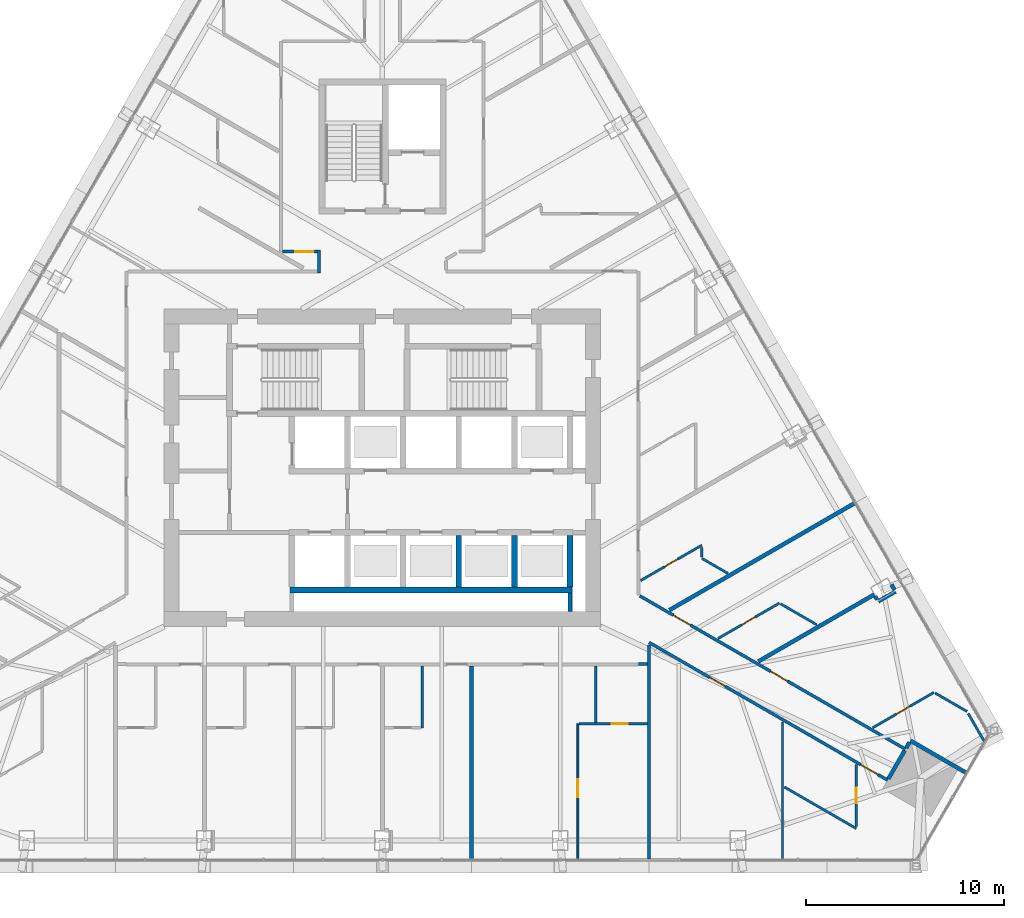
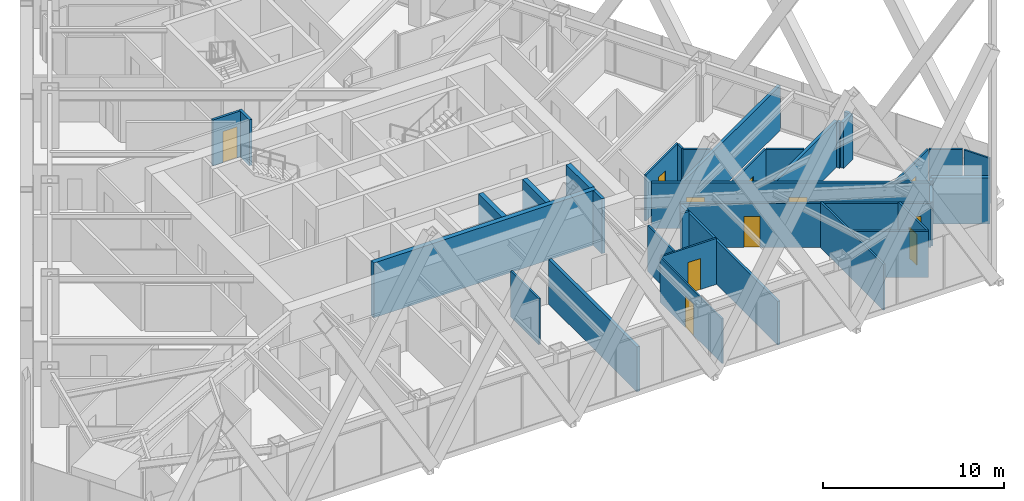
# One storey, part 19 of 24: 35 walls, 11 doors, 11 openings.
"""IFC4 building model written with IfcOpenShell, lengths in metres."""

from ifc_helpers import new_model, si_unit, direction, frame, frame_2d, origin, place, context, subcontext, project, spatial, rectangle, extrude, material, layer, layer_set, type_object, element, fill, save


model = new_model("IFC4")

# Units and contexts
model_context = context("Model", 3, precision=1e-05, world=origin(), true_north=direction((0.0, 1.0)))
body_context = subcontext(model_context, "Body", "Model", "MODEL_VIEW")
ifc_project = project(units=[si_unit("LENGTHUNIT", "METRE"), si_unit("AREAUNIT", "SQUARE_METRE"), si_unit("VOLUMEUNIT", "CUBIC_METRE"), si_unit("PLANEANGLEUNIT", "RADIAN"), si_unit("MASSUNIT", "GRAM", prefix="KILO")], contexts=[model_context])

# Site, building, storey
site_placement = place(None, origin())
site = spatial("IfcSite", under=ifc_project, at=site_placement, CompositionType="ELEMENT")
building_placement = place(site_placement, origin())
building = spatial("IfcBuilding", under=site, at=building_placement, Name="Firuza Gate Tower and Library", CompositionType="ELEMENT")
storey_placement = place(building_placement, frame((0.0, 0.0, 171.39990234375)))
storey = spatial("IfcBuildingStorey", under=building, at=storey_placement, Name="L39", CompositionType="ELEMENT", Elevation=171.39990234375)

# Walls
ifc_material_1 = material(Name="Plasterboard on steel studs", Category="steel")
ifc_layer_1 = layer(ifc_material_1, 0.199951171875)
ifc_layer_set_1 = layer_set([ifc_layer_1], Name="Core partition 200 EI 120")
wall_type_1 = type_object("IfcWallType", Name="Core partition 200 EI 120", PredefinedType="PARTITIONING", material=ifc_layer_set_1)
wall_1_placement = place(storey_placement, frame((84.449951171875, 67.75, 0.0), z_axis=(0.0, 0.0, 1.0), x_axis=(0.0, 1.0, 0.0)))
element("IfcWall", 1, at=wall_1_placement, inside=storey, type_object=wall_type_1, Name="Core partition L39 14", PredefinedType="PARTITIONING", context=body_context, shape_type="SweptSolid", body=[
    extrude(rectangle(XDim=0.949951171875, YDim=0.199951171875, at=frame_2d((0.47509765625, 0.0))), origin(), (0.0, 0.0, 1.0), 3.7001953125),
])
ifc_material_2 = material(Name="Concrete C80/95", Category="concrete")
ifc_layer_2 = layer(ifc_material_2, 0.300048828125)
ifc_layer_set_2 = layer_set([ifc_layer_2], Name="Core wall 300 C80/95")
wall_type_2 = type_object("IfcWallType", Name="Core wall 300 C80/95", PredefinedType="SHEAR", material=ifc_layer_set_2)
wall_2_placement = place(storey_placement, frame((70.35009765625, 68.85009765625, 0.0), z_axis=(0.0, 0.0, 1.0), x_axis=(1.0, 0.0, 0.0)))
element("IfcWall", 2, at=wall_2_placement, inside=storey, type_object=wall_type_2, Name="Core wall L39 5", PredefinedType="SHEAR", context=body_context, shape_type="SweptSolid", body=[
    extrude(rectangle(XDim=14.199951171875, YDim=0.300048828125, at=frame_2d((7.10009765625, 0.0))), origin(), (0.0, 0.0, 1.0), 3.7001953125),
])
for number, where, z_axis, x_axis, name in (
    (3, (78.85009765625, 69.0, 0.0), (0.0, 0.0, 1.0), (0.0, 1.0, 0.0), "Core wall L39 14"),
    (4, (81.64990234375, 69.0, 0.0), (0.0, 0.0, 1.0), (0.0, 1.0, 0.0), "Core wall L39 16"),
    (5, (84.449951171875, 69.0, 0.0), (0.0, 0.0, 1.0), (0.0, 1.0, 0.0), "Core wall L39 18"),
):
    element("IfcWall", number, at=place(storey_placement, frame(where, z_axis=z_axis, x_axis=x_axis)), inside=storey, type_object=wall_type_2, Name=name, PredefinedType="SHEAR", context=body_context, shape_type="SweptSolid", body=[
        extrude(rectangle(XDim=2.60009765625, YDim=0.300048828125, at=frame_2d((1.300048828125, 0.0))), origin(), (0.0, 0.0, 1.0), 3.7001953125),
    ])
ifc_material_3 = material(Name="Gypsum board partition")
ifc_layer_3 = layer(ifc_material_3, 0.14990234375)
ifc_layer_set_3 = layer_set([ifc_layer_3], Name="Corridor wall 150 double board on steel studs")
wall_type_3 = type_object("IfcWallType", Name="Corridor wall 150 double board on steel studs", PredefinedType="PARTITIONING", material=ifc_layer_set_3)
wall_3_placement = place(storey_placement, frame((87.89990234375, 65.118896484375, 0.0), z_axis=(0.0, 0.0, 1.0), x_axis=(1.0, 0.0, 0.0)))
element("IfcWall", 6, at=wall_3_placement, inside=storey, type_object=wall_type_3, Name="f:L39:w010", PredefinedType="PARTITIONING", context=body_context, shape_type="SweptSolid", body=[
    extrude(rectangle(XDim=0.468017578125, YDim=0.14990234375, at=frame_2d((0.23388671875, 0.0))), origin(), (0.0, 0.0, 1.0), 3.10009765625),
])

# Wall, opening, door
wall_4_placement = place(storey_placement, frame((69.9755859375, 85.89990234375, 0.0), z_axis=(0.0, 0.0, 1.0), x_axis=(1.0, 0.0, 0.0)))
wall_4 = element("IfcWall", 7, at=wall_4_placement, inside=storey, type_object=wall_type_3, Name="f:L39:w013", PredefinedType="PARTITIONING", context=body_context, shape_type="SweptSolid", body=[
    extrude(rectangle(XDim=1.74951171875, YDim=0.14990234375, at=frame_2d((0.874755859375, 0.0))), origin(), (0.0, 0.0, 1.0), 3.10009765625),
])
opening_1_placement = place(wall_4_placement, frame((0.645751953125, 0.0, 0.0)))
opening_1 = element("IfcOpeningElement", 8, at=opening_1_placement, cuts=wall_4, Name="Opening L39-12", PredefinedType="OPENING", context=body_context, shape_type="SweptSolid", body=[
    extrude(rectangle(XDim=0.89990234375, YDim=2.10009765625, at=frame_2d((0.449951171875, 1.050048828125))), frame((0.0, 0.0849609375, 0.0), z_axis=(0.0, -1.0, 0.0), x_axis=(1.0, 0.0, 0.0)), (0.0, 0.0, 1.0), 0.169921875),
])
ifc_material_4 = material(Name="Steel door and timber leaf", Category="steel")
door_type_1 = type_object("IfcDoorType", Name="Fire door 900 x 2100 steel frame, timber leaf", OperationType="NOTDEFINED", PredefinedType="DOOR", material=ifc_material_4)
door_1_placement = place(opening_1_placement, origin())
door_1 = element("IfcDoor", 9, at=door_1_placement, inside=storey, type_object=door_type_1, Name="f:L39:d012", OperationType="SINGLE_SWING_RIGHT", OverallHeight=2.10009765625, OverallWidth=0.89990234375, PredefinedType="DOOR", context=body_context, shape_type="SweptSolid", body=[
    extrude(rectangle(XDim=0.89990234375, YDim=2.10009765625, at=frame_2d((0.449951171875, 1.050048828125))), frame((0.0, 0.02490234375, 0.0), z_axis=(0.0, -1.0, 0.0), x_axis=(1.0, 0.0, 0.0)), (0.0, 0.0, 1.0), 0.050048828125),
])
fill(opening_1, door_1)

# Walls
wall_5_placement = place(storey_placement, frame((88.443115234375, 55.277587890625, 0.0), z_axis=(0.0, 0.0, 1.0), x_axis=(0.0, 1.0, 0.0)))
element("IfcWall", 10, at=wall_5_placement, inside=storey, type_object=wall_type_3, Name="f:L39:w053", PredefinedType="PARTITIONING", context=body_context, shape_type="SweptSolid", body=[
    extrude(rectangle(XDim=10.785400390625, YDim=0.14990234375, at=frame_2d((5.392578125, 0.0))), origin(), (0.0, 0.0, 1.0), 2.947021484375),
])
wall_6_placement = place(storey_placement, frame((71.800048828125, 84.824951171875, 0.0), z_axis=(0.0, 0.0, 1.0), x_axis=(0.0, 1.0, 0.0)))
element("IfcWall", 11, at=wall_6_placement, inside=storey, type_object=wall_type_3, Name="f:L39:w070", PredefinedType="PARTITIONING", context=body_context, shape_type="SweptSolid", body=[
    extrude(rectangle(XDim=1.150146484375, YDim=0.14990234375, at=frame_2d((0.5751953125, 0.0))), origin(), (0.0, 0.0, 1.0), 3.10009765625),
])

# Wall, openings, doors
wall_7_placement = place(storey_placement, frame((87.97509765625, 68.548095703125, 0.0), z_axis=(0.0, 0.0, 1.0), x_axis=(0.866029648708, -0.499992647504, 0.0)))
wall_7 = element("IfcWall", 12, at=wall_7_placement, inside=storey, type_object=wall_type_3, Name="f:L39:w105", PredefinedType="PARTITIONING", context=body_context, shape_type="SweptSolid", body=[
    extrude(rectangle(XDim=15.460693359375, YDim=0.14990234375, at=frame_2d((7.73046875, 0.0))), origin(), (0.0, 0.0, 1.0), 3.10009765625),
])
opening_2_placement = place(wall_7_placement, frame((1.947998046875, 0.0, 0.0)))
opening_2 = element("IfcOpeningElement", 13, at=opening_2_placement, cuts=wall_7, Name="Opening L39-46", PredefinedType="OPENING", context=body_context, shape_type="SweptSolid", body=[
    extrude(rectangle(XDim=1.0, YDim=2.10009765625, at=frame_2d((0.5, 1.050048828125))), frame((0.0, 0.0849609375, 0.0), z_axis=(0.0, -1.0, 0.0), x_axis=(1.0, 0.0, 0.0)), (0.0, 0.0, 1.0), 0.169921875),
])
opening_3_placement = place(wall_7_placement, frame((7.60205078125, 0.0, 0.0)))
opening_3 = element("IfcOpeningElement", 14, at=opening_3_placement, cuts=wall_7, Name="Opening L39-47", PredefinedType="OPENING", context=body_context, shape_type="SweptSolid", body=[
    extrude(rectangle(XDim=1.0, YDim=2.10009765625, at=frame_2d((0.5, 1.050048828125))), frame((0.0, 0.0849609375, 0.0), z_axis=(0.0, -1.0, 0.0), x_axis=(1.0, 0.0, 0.0)), (0.0, 0.0, 1.0), 0.169921875),
])
ifc_material_5 = material(Name="Steel door and timber leaf", Category="steel")
door_type_2 = type_object("IfcDoorType", Name="Fire door 1000 x 2100 steel frame, timber leaf", OperationType="NOTDEFINED", PredefinedType="DOOR", material=ifc_material_5)
door_2_placement = place(opening_2_placement, origin())
door_2 = element("IfcDoor", 15, at=door_2_placement, inside=storey, type_object=door_type_2, Name="f:L39:d046", OperationType="SINGLE_SWING_RIGHT", OverallHeight=2.10009765625, OverallWidth=1.0, PredefinedType="DOOR", context=body_context, shape_type="SweptSolid", body=[
    extrude(rectangle(XDim=1.0, YDim=2.10009765625, at=frame_2d((0.5, 1.050048828125))), frame((0.0, 0.02490234375, 0.0), z_axis=(0.0, -1.0, 0.0), x_axis=(1.0, 0.0, 0.0)), (0.0, 0.0, 1.0), 0.050048828125),
])
fill(opening_2, door_2)
door_3_placement = place(opening_3_placement, origin())
door_3 = element("IfcDoor", 16, at=door_3_placement, inside=storey, type_object=door_type_2, Name="f:L39:d047", OperationType="SINGLE_SWING_RIGHT", OverallHeight=2.10009765625, OverallWidth=1.0, PredefinedType="DOOR", context=body_context, shape_type="SweptSolid", body=[
    extrude(rectangle(XDim=1.0, YDim=2.10009765625, at=frame_2d((0.5, 1.050048828125))), frame((0.0, 0.02490234375, 0.0), z_axis=(0.0, -1.0, 0.0), x_axis=(1.0, 0.0, 0.0)), (0.0, 0.0, 1.0), 0.050048828125),
])
fill(opening_3, door_3)

wall_8_placement = place(storey_placement, frame((100.464111328125, 59.25927734375, 0.0), z_axis=(0.0, 0.0, 1.0), x_axis=(-0.866026545444, 0.499998022582, 0.0)))
wall_8 = element("IfcWall", 17, at=wall_8_placement, inside=storey, type_object=wall_type_3, Name="f:L39:w106", PredefinedType="PARTITIONING", context=body_context, shape_type="SweptSolid", body=[
    extrude(rectangle(XDim=13.880859375, YDim=0.14990234375, at=frame_2d((6.9404296875, 0.0))), origin(), (0.0, 0.0, 1.0), 2.947021484375),
])
opening_4_placement = place(wall_8_placement, frame((0.56591796875, 0.0, 0.0)))
opening_4 = element("IfcOpeningElement", 18, at=opening_4_placement, cuts=wall_8, Name="Opening L39-48", PredefinedType="OPENING", context=body_context, shape_type="SweptSolid", body=[
    extrude(rectangle(XDim=1.0, YDim=2.10009765625, at=frame_2d((0.5, 1.050048828125))), frame((0.0, 0.0849609375, 0.0), z_axis=(0.0, -1.0, 0.0), x_axis=(1.0, 0.0, 0.0)), (0.0, 0.0, 1.0), 0.169921875),
])
opening_5_placement = place(wall_8_placement, frame((9.448486328125, 0.0, 0.0)))
opening_5 = element("IfcOpeningElement", 19, at=opening_5_placement, cuts=wall_8, Name="Opening L39-49", PredefinedType="OPENING", context=body_context, shape_type="SweptSolid", body=[
    extrude(rectangle(XDim=0.89990234375, YDim=2.10009765625, at=frame_2d((0.449951171875, 1.050048828125))), frame((0.0, 0.0849609375, 0.0), z_axis=(0.0, -1.0, 0.0), x_axis=(1.0, 0.0, 0.0)), (0.0, 0.0, 1.0), 0.169921875),
])
door_4_placement = place(opening_4_placement, origin())
door_4 = element("IfcDoor", 20, at=door_4_placement, inside=storey, type_object=door_type_2, Name="f:L39:d048", OperationType="SINGLE_SWING_LEFT", OverallHeight=2.10009765625, OverallWidth=1.0, PredefinedType="DOOR", context=body_context, shape_type="SweptSolid", body=[
    extrude(rectangle(XDim=1.0, YDim=2.10009765625, at=frame_2d((0.5, 1.050048828125))), frame((0.0, 0.02490234375, 0.0), z_axis=(0.0, -1.0, 0.0), x_axis=(1.0, 0.0, 0.0)), (0.0, 0.0, 1.0), 0.050048828125),
])
fill(opening_4, door_4)
door_5_placement = place(opening_5_placement, origin())
door_5 = element("IfcDoor", 21, at=door_5_placement, inside=storey, type_object=door_type_1, Name="f:L39:d049", OperationType="SINGLE_SWING_RIGHT", OverallHeight=2.10009765625, OverallWidth=0.89990234375, PredefinedType="DOOR", context=body_context, shape_type="SweptSolid", body=[
    extrude(rectangle(XDim=0.89990234375, YDim=2.10009765625, at=frame_2d((0.449951171875, 1.050048828125))), frame((0.0, 0.02490234375, 0.0), z_axis=(0.0, -1.0, 0.0), x_axis=(1.0, 0.0, 0.0)), (0.0, 0.0, 1.0), 0.050048828125),
])
fill(opening_5, door_5)

# Walls
ifc_material_6 = material(Name="Gypsum board partition")
ifc_layer_4 = layer(ifc_material_6, 0.199951171875)
ifc_layer_set_4 = layer_set([ifc_layer_4], Name="Demising wall 200 acoustic double stud")
wall_type_4 = type_object("IfcWallType", Name="Demising wall 200 acoustic double stud", PredefinedType="PARTITIONING", material=ifc_layer_set_4)
wall_9_placement = place(storey_placement, frame((99.992919921875, 68.27099609375, 0.0), z_axis=(0.0, 0.0, 1.0), x_axis=(0.86597798544, 0.50008212199, 0.0)))
element("IfcWall", 22, at=wall_9_placement, inside=storey, type_object=wall_type_4, Name="f:L39:w022", PredefinedType="PARTITIONING", context=body_context, shape_type="SweptSolid", body=[
    extrude(rectangle(XDim=0.998779296875, YDim=0.199951171875, at=frame_2d((0.49951171875, 0.0))), origin(), (0.0, 0.0, 1.0), 3.10009765625),
])
wall_10_placement = place(storey_placement, frame((93.950927734375, 65.24462890625, 0.0), z_axis=(0.0, 0.0, 1.0), x_axis=(0.866027052535, 0.49999714427, 0.0)))
element("IfcWall", 23, at=wall_10_placement, inside=storey, type_object=wall_type_4, Name="f:L39:w023", PredefinedType="PARTITIONING", context=body_context, shape_type="SweptSolid", body=[
    extrude(rectangle(XDim=6.74462890625, YDim=0.199951171875, at=frame_2d((3.372314453125, 0.0))), origin(), (0.0, 0.0, 1.0), 3.10009765625),
])
wall_11_placement = place(storey_placement, frame((89.469970703125, 67.83154296875, 0.0), z_axis=(0.0, 0.0, 1.0), x_axis=(0.866022468619, 0.50000508382, 0.0)))
element("IfcWall", 24, at=wall_11_placement, inside=storey, type_object=wall_type_4, Name="f:L39:w025", PredefinedType="PARTITIONING", context=body_context, shape_type="SweptSolid", body=[
    extrude(rectangle(XDim=10.79248046875, YDim=0.199951171875, at=frame_2d((5.396240234375, 0.0))), origin(), (0.0, 0.0, 1.0), 3.022216796875),
])
wall_12_placement = place(storey_placement, frame((100.501953125, 59.324462890625, 0.0), z_axis=(0.0, 0.0, 1.0), x_axis=(0.499991515992, 0.866030301974, 0.0)))
element("IfcWall", 25, at=wall_12_placement, inside=storey, type_object=wall_type_4, Name="f:L39:w045", PredefinedType="PARTITIONING", context=body_context, shape_type="SweptSolid", body=[
    extrude(rectangle(XDim=1.6494140625, YDim=0.199951171875, at=frame_2d((0.82470703125, 0.0))), origin(), (0.0, 0.0, 1.0), 2.947021484375),
])
wall_13_placement = place(storey_placement, frame((79.48095703125, 55.260498046875, 0.0), z_axis=(0.0, 0.0, 1.0), x_axis=(0.0, 1.0, 0.0)))
element("IfcWall", 26, at=wall_13_placement, inside=storey, type_object=wall_type_4, Name="f:L39:w060", PredefinedType="PARTITIONING", context=body_context, shape_type="SweptSolid", body=[
    extrude(rectangle(XDim=9.764404296875, YDim=0.199951171875, at=frame_2d((4.88232421875, 0.0))), origin(), (0.0, 0.0, 1.0), 3.022216796875),
])
wall_14_placement = place(storey_placement, frame((100.807861328125, 68.857666015625, 0.0), z_axis=(0.0, 0.0, 1.0), x_axis=(-0.49965177357, 0.866226359082, 0.0)))
element("IfcWall", 27, at=wall_14_placement, inside=storey, type_object=wall_type_4, Name="f:L39:w087", PredefinedType="PARTITIONING", context=body_context, shape_type="SweptSolid", body=[
    extrude(rectangle(XDim=0.299072265625, YDim=0.199951171875, at=frame_2d((0.1494140625, 0.0))), origin(), (0.0, 0.0, 1.0), 3.10009765625),
])
wall_15_placement = place(storey_placement, frame((99.94189453125, 68.357666015625, 0.0), z_axis=(0.0, 0.0, 1.0), x_axis=(-0.500359323436, 0.865817848887, 0.0)))
element("IfcWall", 28, at=wall_15_placement, inside=storey, type_object=wall_type_4, Name="f:L39:w089", PredefinedType="PARTITIONING", context=body_context, shape_type="SweptSolid", body=[
    extrude(rectangle(XDim=0.198974609375, YDim=0.199951171875, at=frame_2d((0.099609375, 0.0))), origin(), (0.0, 0.0, 1.0), 3.10009765625),
])
wall_16_placement = place(storey_placement, frame((104.437744140625, 59.620849609375, 0.0), z_axis=(0.0, 0.0, 1.0), x_axis=(-0.866035906198, 0.499981808845, 0.0)))
element("IfcWall", 29, at=wall_16_placement, inside=storey, type_object=wall_type_4, Name="f:L39:w104", PredefinedType="PARTITIONING", context=body_context, shape_type="SweptSolid", body=[
    extrude(rectangle(XDim=3.25927734375, YDim=0.199951171875, at=frame_2d((1.629638671875, 0.0))), origin(), (0.0, 0.0, 1.0), 3.10009765625),
])
wall_17_placement = place(storey_placement, frame((101.401611328125, 60.8828125, 0.0), z_axis=(0.0, 0.0, 1.0), x_axis=(0.500265064493, 0.865872314633, 0.0)))
element("IfcWall", 30, at=wall_17_placement, inside=storey, type_object=wall_type_4, Name="f:L39:w118", PredefinedType="PARTITIONING", context=body_context, shape_type="SweptSolid", body=[
    extrude(rectangle(XDim=0.324462890625, YDim=0.199951171875, at=frame_2d((0.162109375, 0.0))), origin(), (0.0, 0.0, 1.0), 3.10009765625),
])

# Wall, opening, door
ifc_material_7 = material(Name="Gypsum board partition")
ifc_layer_5 = layer(ifc_material_7, 0.10009765625)
ifc_layer_set_5 = layer_set([ifc_layer_5], Name="Partition 100 gypsum board on steel studs")
wall_type_5 = type_object("IfcWallType", Name="Partition 100 gypsum board on steel studs", PredefinedType="PARTITIONING", material=ifc_layer_set_5)
wall_18_placement = place(storey_placement, frame((84.85791015625, 62.10009765625, 0.0), z_axis=(0.0, 0.0, 1.0), x_axis=(0.0, -1.0, 0.0)))
wall_18 = element("IfcWall", 31, at=wall_18_placement, inside=storey, type_object=wall_type_5, Name="f:L39:w056", PredefinedType="PARTITIONING", context=body_context, shape_type="SweptSolid", body=[
    extrude(rectangle(XDim=6.839599609375, YDim=0.10009765625, at=frame_2d((3.419921875, 0.0))), origin(), (0.0, 0.0, 1.0), 3.022216796875),
])
opening_6_placement = place(wall_18_placement, frame((2.789794921875, 0.0, 0.0)))
opening_6 = element("IfcOpeningElement", 32, at=opening_6_placement, cuts=wall_18, Name="Opening L39-33", PredefinedType="OPENING", context=body_context, shape_type="SweptSolid", body=[
    extrude(rectangle(XDim=0.89990234375, YDim=2.10009765625, at=frame_2d((0.449951171875, 1.050048828125))), frame((0.0, 0.06005859375, 0.0), z_axis=(0.0, -1.0, 0.0), x_axis=(1.0, 0.0, 0.0)), (0.0, 0.0, 1.0), 0.1201171875),
])
ifc_material_8 = material(Name="Timber door", Category="wood")
door_type_3 = type_object("IfcDoorType", Name="Door 900 x 2100 timber leaf", OperationType="NOTDEFINED", PredefinedType="DOOR", material=ifc_material_8)
door_6_placement = place(opening_6_placement, origin())
door_6 = element("IfcDoor", 33, at=door_6_placement, inside=storey, type_object=door_type_3, Name="f:L39:d033", OperationType="SINGLE_SWING_LEFT", OverallHeight=2.10009765625, OverallWidth=0.89990234375, PredefinedType="DOOR", context=body_context, shape_type="SweptSolid", body=[
    extrude(rectangle(XDim=0.89990234375, YDim=2.10009765625, at=frame_2d((0.449951171875, 1.050048828125))), frame((0.0, 0.02490234375, 0.0), z_axis=(0.0, -1.0, 0.0), x_axis=(1.0, 0.0, 0.0)), (0.0, 0.0, 1.0), 0.050048828125),
])
fill(opening_6, door_6)

ifc_material_9 = material(Name="Gypsum board partition")
ifc_layer_6 = layer(ifc_material_9, 0.1201171875)
ifc_layer_set_6 = layer_set([ifc_layer_6], Name="Wet-area partition 120 moisture-resistant board")
wall_type_6 = type_object("IfcWallType", Name="Wet-area partition 120 moisture-resistant board", PredefinedType="PARTITIONING", material=ifc_layer_set_6)
wall_19_placement = place(storey_placement, frame((84.908203125, 62.10009765625, 0.0), z_axis=(0.0, 0.0, 1.0), x_axis=(1.0, 0.0, 0.0)))
wall_19 = element("IfcWall", 34, at=wall_19_placement, inside=storey, type_object=wall_type_6, Name="f:L39:w007", PredefinedType="PARTITIONING", context=body_context, shape_type="SweptSolid", body=[
    extrude(rectangle(XDim=3.459716796875, YDim=0.1201171875, at=frame_2d((1.72998046875, 0.0))), origin(), (0.0, 0.0, 1.0), 3.10009765625),
])
opening_7_placement = place(wall_19_placement, frame((1.653076171875, 0.0, 0.0)))
opening_7 = element("IfcOpeningElement", 35, at=opening_7_placement, cuts=wall_19, Name="Opening L39-05", PredefinedType="OPENING", context=body_context, shape_type="SweptSolid", body=[
    extrude(rectangle(XDim=0.800048828125, YDim=2.10009765625, at=frame_2d((0.39990234375, 1.050048828125))), frame((0.0, 0.070068359375, 0.0), z_axis=(0.0, -1.0, 0.0), x_axis=(1.0, 0.0, 0.0)), (0.0, 0.0, 1.0), 0.14013671875),
])
ifc_material_10 = material(Name="Timber door", Category="wood")
door_type_4 = type_object("IfcDoorType", Name="Door 800 x 2100 timber leaf", OperationType="NOTDEFINED", PredefinedType="DOOR", material=ifc_material_10)
door_7_placement = place(opening_7_placement, origin())
door_7 = element("IfcDoor", 36, at=door_7_placement, inside=storey, type_object=door_type_4, Name="f:L39:d005", OperationType="SINGLE_SWING_LEFT", OverallHeight=2.10009765625, OverallWidth=0.800048828125, PredefinedType="DOOR", context=body_context, shape_type="SweptSolid", body=[
    extrude(rectangle(XDim=0.800048828125, YDim=2.10009765625, at=frame_2d((0.39990234375, 1.050048828125))), frame((0.0, 0.02490234375, 0.0), z_axis=(0.0, -1.0, 0.0), x_axis=(1.0, 0.0, 0.0)), (0.0, 0.0, 1.0), 0.050048828125),
])
fill(opening_7, door_7)

wall_20_placement = place(storey_placement, frame((102.800048828125, 63.68408203125, 0.0), z_axis=(0.0, 0.0, 1.0), x_axis=(-0.866028357664, -0.499994883695, 0.0)))
wall_20 = element("IfcWall", 37, at=wall_20_placement, inside=storey, type_object=wall_type_6, Name="f:L39:w021", PredefinedType="PARTITIONING", context=body_context, shape_type="SweptSolid", body=[
    extrude(rectangle(XDim=3.568359375, YDim=0.1201171875, at=frame_2d((1.7841796875, 0.0))), origin(), (0.0, 0.0, 1.0), 3.10009765625),
])
opening_8_placement = place(wall_20_placement, frame((1.38427734375, 0.0, 0.0)))
opening_8 = element("IfcOpeningElement", 38, at=opening_8_placement, cuts=wall_20, Name="Opening L39-15", PredefinedType="OPENING", context=body_context, shape_type="SweptSolid", body=[
    extrude(rectangle(XDim=0.800048828125, YDim=2.10009765625, at=frame_2d((0.39990234375, 1.050048828125))), frame((0.0, 0.070068359375, 0.0), z_axis=(0.0, -1.0, 0.0), x_axis=(1.0, 0.0, 0.0)), (0.0, 0.0, 1.0), 0.14013671875),
])
door_8_placement = place(opening_8_placement, origin())
door_8 = element("IfcDoor", 39, at=door_8_placement, inside=storey, type_object=door_type_4, Name="f:L39:d015", OperationType="SINGLE_SWING_LEFT", OverallHeight=2.10009765625, OverallWidth=0.800048828125, PredefinedType="DOOR", context=body_context, shape_type="SweptSolid", body=[
    extrude(rectangle(XDim=0.800048828125, YDim=2.10009765625, at=frame_2d((0.39990234375, 1.050048828125))), frame((0.0, 0.02490234375, 0.0), z_axis=(0.0, -1.0, 0.0), x_axis=(1.0, 0.0, 0.0)), (0.0, 0.0, 1.0), 0.050048828125),
])
fill(opening_8, door_8)

wall_21_placement = place(storey_placement, frame((95.007568359375, 68.1826171875, 0.0), z_axis=(0.0, 0.0, 1.0), x_axis=(-0.866028357664, -0.499994883695, 0.0)))
wall_21 = element("IfcWall", 40, at=wall_21_placement, inside=storey, type_object=wall_type_6, Name="f:L39:w024", PredefinedType="PARTITIONING", context=body_context, shape_type="SweptSolid", body=[
    extrude(rectangle(XDim=3.568359375, YDim=0.1201171875, at=frame_2d((1.7841796875, 0.0))), origin(), (0.0, 0.0, 1.0), 3.10009765625),
])
opening_9_placement = place(wall_21_placement, frame((1.38427734375, 0.0, 0.0)))
opening_9 = element("IfcOpeningElement", 41, at=opening_9_placement, cuts=wall_21, Name="Opening L39-16", PredefinedType="OPENING", context=body_context, shape_type="SweptSolid", body=[
    extrude(rectangle(XDim=0.800048828125, YDim=2.10009765625, at=frame_2d((0.39990234375, 1.050048828125))), frame((0.0, 0.070068359375, 0.0), z_axis=(0.0, -1.0, 0.0), x_axis=(1.0, 0.0, 0.0)), (0.0, 0.0, 1.0), 0.14013671875),
])
door_9_placement = place(opening_9_placement, origin())
door_9 = element("IfcDoor", 42, at=door_9_placement, inside=storey, type_object=door_type_4, Name="f:L39:d016", OperationType="SINGLE_SWING_LEFT", OverallHeight=2.10009765625, OverallWidth=0.800048828125, PredefinedType="DOOR", context=body_context, shape_type="SweptSolid", body=[
    extrude(rectangle(XDim=0.800048828125, YDim=2.10009765625, at=frame_2d((0.39990234375, 1.050048828125))), frame((0.0, 0.02490234375, 0.0), z_axis=(0.0, -1.0, 0.0), x_axis=(1.0, 0.0, 0.0)), (0.0, 0.0, 1.0), 0.050048828125),
])
fill(opening_9, door_9)

wall_22_placement = place(storey_placement, frame((91.100341796875, 71.100830078125, 0.0), z_axis=(0.0, 0.0, 1.0), x_axis=(-0.866045460162, -0.499965259726, 0.0)))
wall_22 = element("IfcWall", 43, at=wall_22_placement, inside=storey, type_object=wall_type_6, Name="f:L39:w026", PredefinedType="PARTITIONING", context=body_context, shape_type="SweptSolid", body=[
    extrude(rectangle(XDim=3.568603515625, YDim=0.1201171875, at=frame_2d((1.7841796875, 0.0))), origin(), (0.0, 0.0, 1.0), 3.10009765625),
])
opening_10_placement = place(wall_22_placement, frame((1.38427734375, 0.0, 0.0)))
opening_10 = element("IfcOpeningElement", 44, at=opening_10_placement, cuts=wall_22, Name="Opening L39-17", PredefinedType="OPENING", context=body_context, shape_type="SweptSolid", body=[
    extrude(rectangle(XDim=0.800048828125, YDim=2.10009765625, at=frame_2d((0.39990234375, 1.050048828125))), frame((0.0, 0.070068359375, 0.0), z_axis=(0.0, -1.0, 0.0), x_axis=(1.0, 0.0, 0.0)), (0.0, 0.0, 1.0), 0.14013671875),
])
door_10_placement = place(opening_10_placement, origin())
door_10 = element("IfcDoor", 45, at=door_10_placement, inside=storey, type_object=door_type_4, Name="f:L39:d017", OperationType="SINGLE_SWING_LEFT", OverallHeight=2.10009765625, OverallWidth=0.800048828125, PredefinedType="DOOR", context=body_context, shape_type="SweptSolid", body=[
    extrude(rectangle(XDim=0.800048828125, YDim=2.10009765625, at=frame_2d((0.39990234375, 1.050048828125))), frame((0.0, 0.02490234375, 0.0), z_axis=(0.0, -1.0, 0.0), x_axis=(1.0, 0.0, 0.0)), (0.0, 0.0, 1.0), 0.050048828125),
])
fill(opening_10, door_10)

wall_23_placement = place(storey_placement, frame((98.882080078125, 56.93310546875, 0.0), z_axis=(0.0, 0.0, 1.0), x_axis=(0.0, 1.0, 0.0)))
wall_23 = element("IfcWall", 46, at=wall_23_placement, inside=storey, type_object=wall_type_6, Name="f:L39:w047", PredefinedType="PARTITIONING", context=body_context, shape_type="SweptSolid", body=[
    extrude(rectangle(XDim=3.11279296875, YDim=0.1201171875, at=frame_2d((1.556396484375, 0.0))), origin(), (0.0, 0.0, 1.0), 3.10009765625),
])
opening_11_placement = place(wall_23_placement, frame((1.156494140625, 0.0, 0.0)))
opening_11 = element("IfcOpeningElement", 47, at=opening_11_placement, cuts=wall_23, Name="Opening L39-30", PredefinedType="OPENING", context=body_context, shape_type="SweptSolid", body=[
    extrude(rectangle(XDim=0.800048828125, YDim=2.10009765625, at=frame_2d((0.39990234375, 1.050048828125))), frame((0.0, 0.070068359375, 0.0), z_axis=(0.0, -1.0, 0.0), x_axis=(1.0, 0.0, 0.0)), (0.0, 0.0, 1.0), 0.14013671875),
])
door_11_placement = place(opening_11_placement, origin())
door_11 = element("IfcDoor", 48, at=door_11_placement, inside=storey, type_object=door_type_4, Name="f:L39:d030", OperationType="SINGLE_SWING_RIGHT", OverallHeight=2.10009765625, OverallWidth=0.800048828125, PredefinedType="DOOR", context=body_context, shape_type="SweptSolid", body=[
    extrude(rectangle(XDim=0.800048828125, YDim=2.10009765625, at=frame_2d((0.39990234375, 1.050048828125))), frame((0.0, 0.02490234375, 0.0), z_axis=(0.0, -1.0, 0.0), x_axis=(1.0, 0.0, 0.0)), (0.0, 0.0, 1.0), 0.050048828125),
])
fill(opening_11, door_11)

# Walls
wall_24_placement = place(storey_placement, frame((95.1640625, 55.260498046875, 0.0), z_axis=(0.0, 0.0, 1.0), x_axis=(0.0, 1.0, 0.0)))
element("IfcWall", 49, at=wall_24_placement, inside=storey, type_object=wall_type_6, Name="f:L39:w048", PredefinedType="PARTITIONING", context=body_context, shape_type="SweptSolid", body=[
    extrude(rectangle(XDim=6.931884765625, YDim=0.1201171875, at=frame_2d((3.4658203125, 0.0))), origin(), (0.0, 0.0, 1.0), 3.10009765625),
])
wall_25_placement = place(storey_placement, frame((91.10009765625, 70.50830078125, 0.0), z_axis=(0.0, 0.0, 1.0), x_axis=(0.0, 1.0, 0.0)))
element("IfcWall", 50, at=wall_25_placement, inside=storey, type_object=wall_type_6, Name="f:L39:w049", PredefinedType="PARTITIONING", context=body_context, shape_type="SweptSolid", body=[
    extrude(rectangle(XDim=0.483642578125, YDim=0.1201171875, at=frame_2d((0.24169921875, 0.0))), origin(), (0.0, 0.0, 1.0), 3.10009765625),
])
wall_26_placement = place(storey_placement, frame((85.75390625, 62.159912109375, 0.0), z_axis=(0.0, 0.0, 1.0), x_axis=(0.0, 1.0, 0.0)))
element("IfcWall", 51, at=wall_26_placement, inside=storey, type_object=wall_type_6, Name="f:L39:w055", PredefinedType="PARTITIONING", context=body_context, shape_type="SweptSolid", body=[
    extrude(rectangle(XDim=2.864990234375, YDim=0.1201171875, at=frame_2d((1.4326171875, 0.0))), origin(), (0.0, 0.0, 1.0), 3.10009765625),
])
wall_27_placement = place(storey_placement, frame((77.01611328125, 61.89990234375, 0.0), z_axis=(0.0, 0.0, 1.0), x_axis=(0.0, 1.0, 0.0)))
element("IfcWall", 52, at=wall_27_placement, inside=storey, type_object=wall_type_6, Name="f:L39:w063", PredefinedType="PARTITIONING", context=body_context, shape_type="SweptSolid", body=[
    extrude(rectangle(XDim=3.125, YDim=0.1201171875, at=frame_2d((1.5625, 0.0))), origin(), (0.0, 0.0, 1.0), 3.10009765625),
])
wall_28_placement = place(storey_placement, frame((105.346923828125, 61.195556640625, 0.0), z_axis=(0.0, 0.0, 1.0), x_axis=(-0.49992834617, 0.86606676919, 0.0)))
element("IfcWall", 53, at=wall_28_placement, inside=storey, type_object=wall_type_6, Name="f:L39:w086", PredefinedType="PARTITIONING", context=body_context, shape_type="SweptSolid", body=[
    extrude(rectangle(XDim=1.642333984375, YDim=0.1201171875, at=frame_2d((0.8212890625, 0.0))), origin(), (0.0, 0.0, 1.0), 3.10009765625),
])
wall_29_placement = place(storey_placement, frame((104.46630859375, 62.72216796875, 0.0), z_axis=(0.0, 0.0, 1.0), x_axis=(-0.866047486323, 0.49996174997, 0.0)))
element("IfcWall", 54, at=wall_29_placement, inside=storey, type_object=wall_type_6, Name="f:L39:w100", PredefinedType="PARTITIONING", context=body_context, shape_type="SweptSolid", body=[
    extrude(rectangle(XDim=1.854736328125, YDim=0.1201171875, at=frame_2d((0.92724609375, 0.0))), origin(), (0.0, 0.0, 1.0), 3.10009765625),
])
wall_30_placement = place(storey_placement, frame((96.88916015625, 67.0966796875, 0.0), z_axis=(0.0, 0.0, 1.0), x_axis=(-0.866034836963, 0.4999836609, 0.0)))
element("IfcWall", 55, at=wall_30_placement, inside=storey, type_object=wall_type_6, Name="f:L39:w101", PredefinedType="PARTITIONING", context=body_context, shape_type="SweptSolid", body=[
    extrude(rectangle(XDim=2.103515625, YDim=0.1201171875, at=frame_2d((1.0517578125, 0.0))), origin(), (0.0, 0.0, 1.0), 3.10009765625),
])
wall_31_placement = place(storey_placement, frame((92.408203125, 69.68359375, 0.0), z_axis=(0.0, 0.0, 1.0), x_axis=(-0.865986401109, 0.500067548531, 0.0)))
element("IfcWall", 56, at=wall_31_placement, inside=storey, type_object=wall_type_6, Name="f:L39:w102", PredefinedType="PARTITIONING", context=body_context, shape_type="SweptSolid", body=[
    extrude(rectangle(XDim=1.510498046875, YDim=0.1201171875, at=frame_2d((0.75537109375, 0.0))), origin(), (0.0, 0.0, 1.0), 3.10009765625),
])
wall_32_placement = place(storey_placement, frame((98.882080078125, 56.823974609375, 0.0), z_axis=(0.0, 0.0, 1.0), x_axis=(-0.866022320763, 0.500005339912, 0.0)))
element("IfcWall", 57, at=wall_32_placement, inside=storey, type_object=wall_type_6, Name="f:L39:w108", PredefinedType="PARTITIONING", context=body_context, shape_type="SweptSolid", body=[
    extrude(rectangle(XDim=4.18359375, YDim=0.1201171875, at=frame_2d((2.091796875, 0.0))), origin(), (0.0, 0.0, 1.0), 3.10009765625),
])

save(model, "model.ifc")
